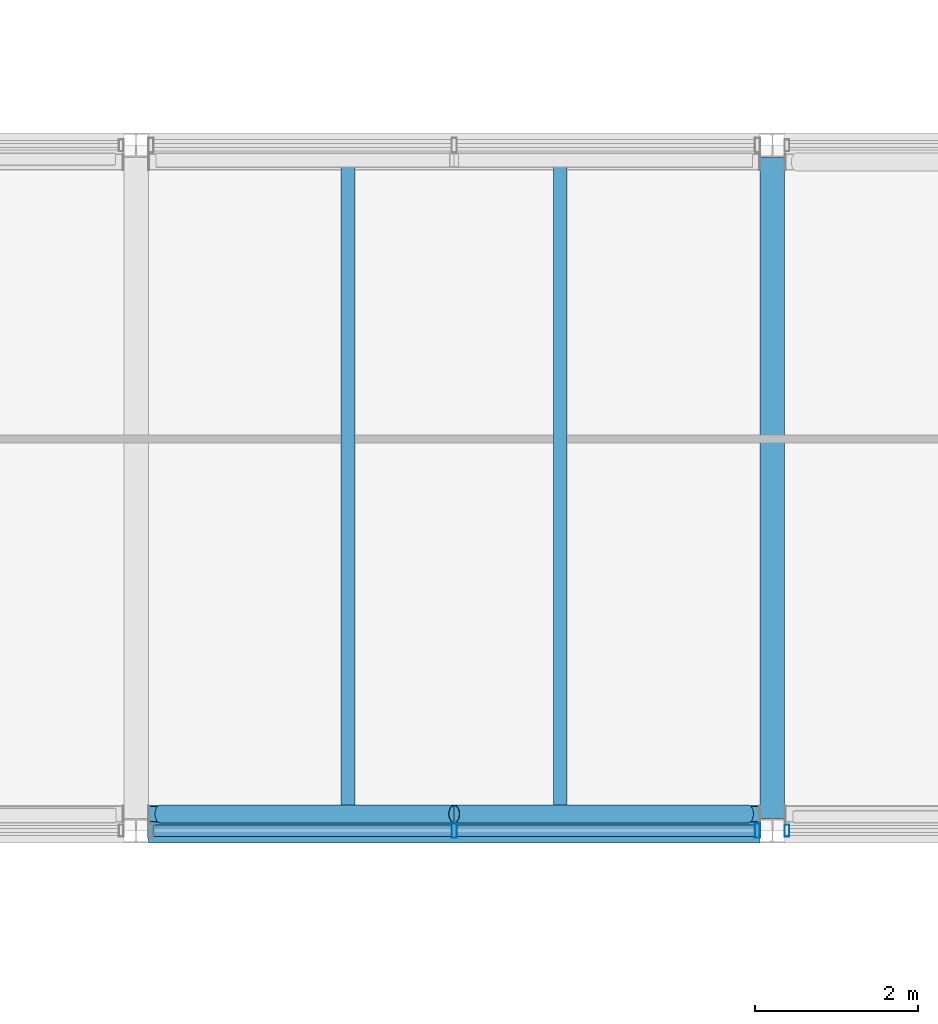
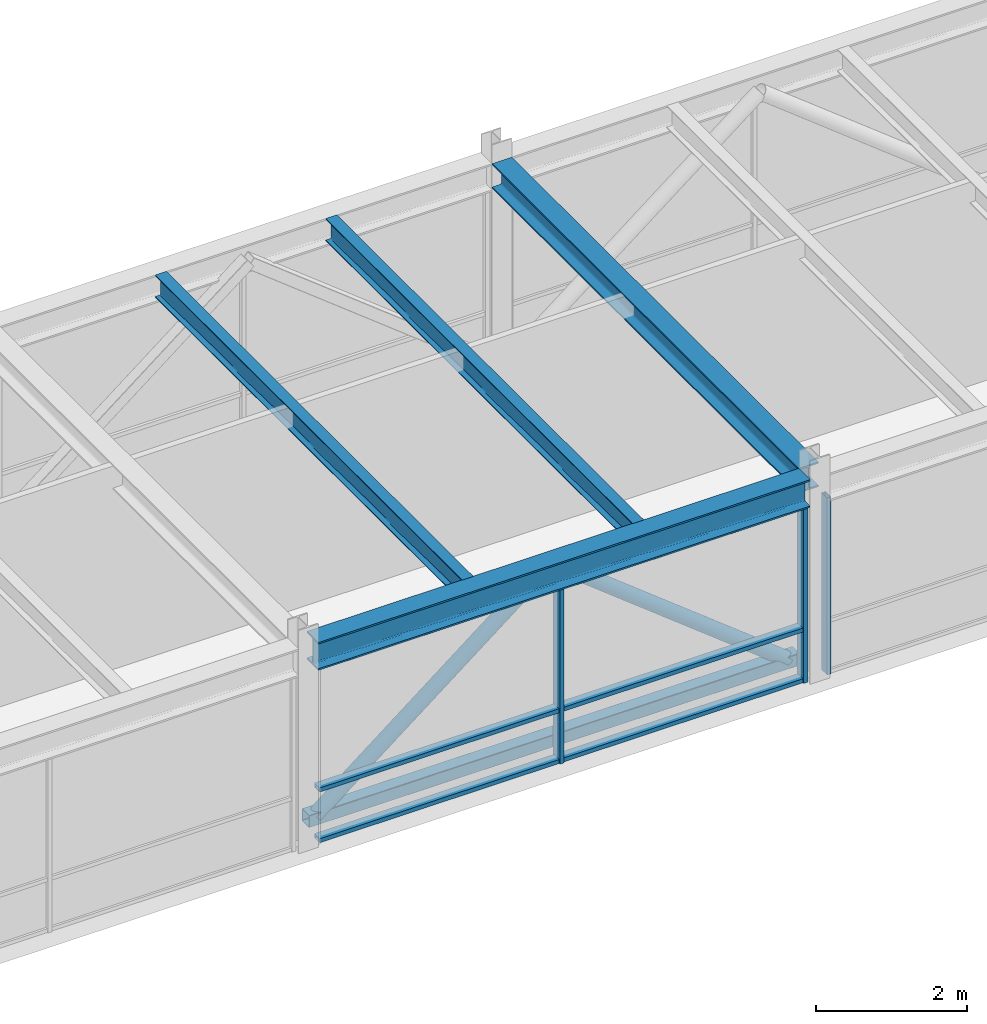
# One storey, part 17 of 49: 12 members, 4 beams, 2 elements without a shape of their own.
"""IFC4 building model written with IfcOpenShell, lengths in metres."""

import ifcopenshell
import ifcopenshell.guid

model = None  # the IFC model being written
_history = None  # IfcOwnerHistory: only IFC2X3 demands one
_inside = {}  # id of a spatial element -> (the spatial element, [elements in it])
_under = {}  # id of a project, library or spatial element -> (it, [spatial elements below it])
_declared = {}  # id of a project -> (the project, [libraries it declares])
_typed = {}  # id of a type object -> (the type object, [elements of that type])
_made_of = {}  # id of a material, layer set ... -> (it, [elements and type objects made of it])


def new_model(schema):
    """Start an empty IFC model of exactly this schema.

    Asked for "IFC4X3", IfcOpenShell would pick the latest addendum, in which some entities
    have other attributes; the version numbers below select the first issue.
    IFC2X3 requires an IfcOwnerHistory on every rooted entity: one is made here for all.
    """
    global model, _history
    if schema == "IFC4X3":
        model = ifcopenshell.file(schema_version=(4, 3, 0, 0))
    else:
        model = ifcopenshell.file(schema=schema)
    _inside.clear()
    _under.clear()
    _declared.clear()
    _typed.clear()
    _made_of.clear()
    _history = None
    if model.schema == "IFC2X3":
        org = make("IfcOrganization", Name="unknown")
        user = make(
            "IfcPersonAndOrganization",
            ThePerson=make("IfcPerson", FamilyName="unknown"),
            TheOrganization=org,
        )
        app = make(
            "IfcApplication",
            ApplicationDeveloper=org,
            Version="unknown",
            ApplicationFullName="unknown",
            ApplicationIdentifier="unknown",
        )
        _history = make(
            "IfcOwnerHistory",
            OwningUser=user,
            OwningApplication=app,
            ChangeAction="ADDED",
            CreationDate=0,
        )
    return model


def make(cls, **values):
    """One entity of the class cls with the attributes given. An attribute that is None is left unset."""
    return model.create_entity(
        cls, **{name: value for name, value in values.items() if value is not None}
    )


def rooted(cls, **values):
    """An entity with a GlobalId (a new one), such as an element, a storey or a relation."""
    return make(cls, GlobalId=ifcopenshell.guid.new(), OwnerHistory=_history, **values)


def si_unit(unit_type, name, prefix=None):
    """IfcSIUnit, for example si_unit("LENGTHUNIT", "METRE", prefix="MILLI")."""
    return make("IfcSIUnit", UnitType=unit_type, Prefix=prefix, Name=name)


def assignment(units):
    """IfcUnitAssignment: the units of a project."""
    return None if units is None else make("IfcUnitAssignment", Units=units)


def point(xyz):
    """IfcCartesianPoint."""
    return None if xyz is None else make("IfcCartesianPoint", Coordinates=xyz)


def direction(xyz):
    """IfcDirection."""
    return None if xyz is None else make("IfcDirection", DirectionRatios=xyz)


def frame(location, z_axis=None, x_axis=None):
    """IfcAxis2Placement3D, a coordinate frame: its origin and axes. An axis left out is left unset."""
    return make(
        "IfcAxis2Placement3D",
        Location=point(location),
        Axis=direction(z_axis),
        RefDirection=direction(x_axis),
    )


def frame_2d(location, x_axis=None):
    """IfcAxis2Placement2D, a coordinate frame in the plane: its origin and x axis."""
    return make(
        "IfcAxis2Placement2D", Location=point(location), RefDirection=direction(x_axis)
    )


def origin():
    """The frame at (0, 0, 0) with its axes left unset."""
    return frame((0.0, 0.0, 0.0))


def origin_2d():
    """The frame at (0, 0) in the plane with its x axis left unset."""
    return frame_2d((0.0, 0.0))


def place(relative_to, where):
    """IfcLocalPlacement: puts the frame where relative to a parent placement (None: the world)."""
    return make(
        "IfcLocalPlacement", PlacementRelTo=relative_to, RelativePlacement=where
    )


def context(
    kind, dimensions, precision=None, world=None, true_north=None, identifier=None
):
    """IfcGeometricRepresentationContext, for example the 3D "Model" context."""
    return make(
        "IfcGeometricRepresentationContext",
        ContextIdentifier=identifier,
        ContextType=kind,
        CoordinateSpaceDimension=dimensions,
        Precision=precision,
        WorldCoordinateSystem=world,
        TrueNorth=true_north,
    )


def subcontext(parent, identifier, kind, view, scale=None):
    """IfcGeometricRepresentationSubContext, for example "Body" below "Model"."""
    return make(
        "IfcGeometricRepresentationSubContext",
        ContextIdentifier=identifier,
        ContextType=kind,
        ParentContext=parent,
        TargetScale=scale,
        TargetView=view,
    )


def project(units=None, contexts=None):
    """IfcProject with its units and contexts."""
    return rooted(
        "IfcProject",
        Name="project",
        RepresentationContexts=contexts,
        UnitsInContext=assignment(units),
    )


def spatial(cls, under=None, at=None, **own):
    """A site, building, storey or space (cls), placed at a placement, below another one or the project."""
    s = rooted(cls, ObjectPlacement=at, **own)
    if under is not None:
        _under.setdefault(under.id(), (under, []))[1].append(s)
    return s


def profile(cls, at=None, kind="AREA", **sizes):
    """A parametric profile (cls). Its sizes go by their IFC names, for example OverallWidth=200.0."""
    return make(cls, ProfileType=kind, Position=at, **sizes)


def hollow_rectangle(**sizes):
    """IfcRectangleHollowProfileDef."""
    return profile("IfcRectangleHollowProfileDef", **sizes)


def hollow_circle(**sizes):
    """IfcCircleHollowProfileDef."""
    return profile("IfcCircleHollowProfileDef", **sizes)


def i_section(**sizes):
    """IfcIShapeProfileDef."""
    return profile("IfcIShapeProfileDef", **sizes)


def extrude(swept, where, along, depth):
    """IfcExtrudedAreaSolid: the profile swept, set in the frame where, extruded along a direction by depth."""
    return make(
        "IfcExtrudedAreaSolid",
        SweptArea=swept,
        Position=where,
        ExtrudedDirection=direction(along),
        Depth=depth,
    )


def shape(context_of_items, identifier, shape_type, items):
    """IfcShapeRepresentation: the items that make up one representation, for example the "Body"."""
    return make(
        "IfcShapeRepresentation",
        ContextOfItems=context_of_items,
        RepresentationIdentifier=identifier,
        RepresentationType=shape_type,
        Items=items,
    )


def material(Name=None, Category=None):
    """IfcMaterial."""
    return make("IfcMaterial", Name=Name, Category=Category)


def material_profile(
    of_material, cross_section, Name=None, Category=None, Priority=None
):
    """IfcMaterialProfile: a cross section and its material."""
    return make(
        "IfcMaterialProfile",
        Name=Name,
        Material=of_material,
        Profile=cross_section,
        Priority=Priority,
        Category=Category,
    )


def profile_set(profiles, Name=None, composite=None):
    """IfcMaterialProfileSet."""
    return make(
        "IfcMaterialProfileSet",
        Name=Name,
        MaterialProfiles=profiles,
        CompositeProfile=composite,
    )


def made_of(thing, what):
    """Note that an element or type object is made of a material, layer set ...; save() writes the relation."""
    if what is not None:
        _made_of.setdefault(what.id(), (what, []))[1].append(thing)
    return thing


def type_object(cls, material=None, **own):
    """A type object (cls), such as IfcWallType, which elements share."""
    return made_of(rooted(cls, **own), material)


def element(
    cls,
    number,
    at=None,
    inside=None,
    cuts=None,
    type_object=None,
    material=None,
    context=None,
    identifier="Body",
    shape_type=None,
    held_by="IfcProductDefinitionShape",
    body=None,
    shapes=None,
    **own,
):
    """One element of the class cls, such as IfcWall. Its Tag is "e" and its number.

    at: its placement. inside: the storey or other place that contains it. cuts: it is an
    opening in that element (IfcRelVoidsElement). A single representation is given by context,
    identifier, shape_type and body (its items); several are given by shapes. held_by: the class
    of the entity that holds the representations. save() writes the other relations.
    """
    e = rooted(cls, Tag="e%d" % number, ObjectPlacement=at, **own)
    if body is not None:
        shapes = [shape(context, identifier, shape_type, body)]
    if shapes is not None:
        e.Representation = make(held_by, Representations=shapes)
    if inside is not None:
        _inside.setdefault(inside.id(), (inside, []))[1].append(e)
    if cuts is not None:
        rooted(
            "IfcRelVoidsElement", RelatingBuildingElement=cuts, RelatedOpeningElement=e
        )
    if type_object is not None:
        _typed.setdefault(type_object.id(), (type_object, []))[1].append(e)
    return made_of(e, material)


def aggregate(whole, parts):
    """IfcRelAggregates: a whole, such as a stair, and the parts it consists of."""
    return rooted("IfcRelAggregates", RelatingObject=whole, RelatedObjects=parts)


def save(model, path):
    """Write the relations noted so far, then the file.

    IfcRelAggregates (storeys below a building ...), IfcRelContainedInSpatialStructure (elements
    in a storey), IfcRelDefinesByType, IfcRelAssociatesMaterial and IfcRelDeclares: one each for
    every whole, place, type object, material and project.
    """
    for whole, parts in _under.values():
        aggregate(whole, parts)
    for where, things in _inside.values():
        rooted(
            "IfcRelContainedInSpatialStructure",
            RelatedElements=things,
            RelatingStructure=where,
        )
    for kind, things in _typed.values():
        rooted("IfcRelDefinesByType", RelatedObjects=things, RelatingType=kind)
    for what, things in _made_of.values():
        rooted("IfcRelAssociatesMaterial", RelatedObjects=things, RelatingMaterial=what)
    for by, libraries in _declared.values():
        rooted("IfcRelDeclares", RelatingContext=by, RelatedDefinitions=libraries)
    model.write(path)


model = new_model("IFC4")

# Units and contexts
model_context = context("Model", 3, precision=1e-05, world=origin(), true_north=direction((0.0, 1.0)))
body_context = subcontext(model_context, "Body", "Model", "MODEL_VIEW")
ifc_project = project(units=[si_unit("LENGTHUNIT", "METRE"), si_unit("AREAUNIT", "SQUARE_METRE"), si_unit("VOLUMEUNIT", "CUBIC_METRE"), si_unit("PLANEANGLEUNIT", "RADIAN"), si_unit("MASSUNIT", "GRAM", prefix="KILO"), si_unit("THERMODYNAMICTEMPERATUREUNIT", "KELVIN"), si_unit("POWERUNIT", "WATT")], contexts=[model_context])

# Site, building, storey
site_placement = place(None, origin())
site = spatial("IfcSite", under=ifc_project, at=site_placement, CompositionType="ELEMENT")
building_placement = place(site_placement, origin())
building = spatial("IfcBuilding", under=site, at=building_placement, Name="Srebrne Nadtorze General Hospital", CompositionType="ELEMENT")
storey_placement = place(building_placement, frame((0.0, 0.0, 26.10009765625)))
storey = spatial("IfcBuildingStorey", under=building, at=storey_placement, Name="L06", CompositionType="ELEMENT", Elevation=26.10009765625)

# Beams
ifc_material_1 = material(Name="Steel S355J2", Category="steel")
ifc_material_profile_1 = material_profile(ifc_material_1, i_section(OverallWidth=0.300048828125, OverallDepth=0.39990234375, WebThickness=0.013427734375, FlangeThickness=0.02392578125, FilletRadius=0.027099609375, at=origin_2d()), Name="HEB-400")
ifc_profile_set_1 = profile_set([ifc_material_profile_1], Name="Steel S355J2")
beam_type_1 = type_object("IfcBeamType", Name="Courtyard bridge girder HEB 400", PredefinedType="BEAM", material=ifc_profile_set_1)
beam_1_placement = place(storey_placement, frame((85.800048828125, 50.550048828125, 3.099853515625), z_axis=(0.0, 1.0, 0.0), x_axis=(-1.0, 0.0, 0.0)))
element("IfcBeam", 1, at=beam_1_placement, inside=storey, type_object=beam_type_1, Name="Beam BM-L06-Y-1220", PredefinedType="BEAM", context=body_context, shape_type="SweptSolid", body=[
    extrude(i_section(OverallWidth=0.300048828125, OverallDepth=0.39990234375, WebThickness=0.013427734375, FlangeThickness=0.02392578125, FilletRadius=0.027099609375, at=origin_2d()), origin(), (0.0, 0.0, 1.0), 8.099853515625),
])
ifc_material_2 = material(Name="Steel S355J2", Category="steel")
ifc_material_profile_2 = material_profile(ifc_material_2, i_section(OverallWidth=0.300048828125, OverallDepth=0.449951171875, WebThickness=0.013916015625, FlangeThickness=0.02587890625, FilletRadius=0.027099609375, at=origin_2d()), Name="HEB-450")
ifc_profile_set_2 = profile_set([ifc_material_profile_2], Name="Steel S355J2")
beam_type_2 = type_object("IfcBeamType", Name="Courtyard bridge girder HEB 450", PredefinedType="BEAM", material=ifc_profile_set_2)
beam_2_placement = place(storey_placement, frame((78.14990234375, 50.39990234375, 3.074951171875), z_axis=(1.0, 0.0, 0.0), x_axis=(0.0, 1.0, 0.0)))
element("IfcBeam", 2, at=beam_2_placement, inside=storey, type_object=beam_type_2, Name="Beam BM-L06-X-1157", PredefinedType="BEAM", context=body_context, shape_type="SweptSolid", body=[
    extrude(i_section(OverallWidth=0.300048828125, OverallDepth=0.449951171875, WebThickness=0.013916015625, FlangeThickness=0.02587890625, FilletRadius=0.027099609375, at=origin_2d()), origin(), (0.0, 0.0, 1.0), 7.5),
])

# Curtain wall, member
ifc_material_3 = material(Name="Anodised Aluminium", Category="aluminium")
curtain_wall_type = type_object("IfcCurtainWallType", Name="Bridge curtain wall 7500x2850", PredefinedType="NOTDEFINED", material=ifc_material_3)
curtain_wall_1_placement = place(storey_placement, origin())
curtain_wall_1 = element("IfcCurtainWall", 3, at=curtain_wall_1_placement, inside=storey, type_object=curtain_wall_type, Name="Curtain wall CW-142", PredefinedType="NOTDEFINED")
ifc_material_4 = material(Name="Anodised Aluminium", Category="aluminium")
ifc_material_profile_3 = material_profile(ifc_material_4, hollow_rectangle(XDim=0.06005859375, YDim=0.14990234375, WallThickness=0.00390625, at=origin_2d()), Name="AL-MUL-60x150")
ifc_profile_set_3 = profile_set([ifc_material_profile_3], Name="Anodised Aluminium")
member_type_1 = type_object("IfcMemberType", Name="Curtain mullion 60x150", PredefinedType="MULLION", material=ifc_profile_set_3)
member_1_placement = place(storey_placement, frame((85.97998046875, 50.39990234375, 0.0), z_axis=(0.0, 0.0, 1.0), x_axis=(1.0, 0.0, 0.0)))
member_1 = element("IfcMember", 4, at=member_1_placement, type_object=member_type_1, Name="CW-142 mullion 1", PredefinedType="MULLION", context=body_context, shape_type="SweptSolid", body=[
    extrude(hollow_rectangle(XDim=0.06005859375, YDim=0.14990234375, WallThickness=0.00390625, at=origin_2d()), origin(), (0.0, 0.0, 1.0), 2.849853515625),
])
aggregate(curtain_wall_1, [member_1])

# Curtain wall, members
curtain_wall_2_placement = place(storey_placement, origin())
curtain_wall_2 = element("IfcCurtainWall", 5, at=curtain_wall_2_placement, inside=storey, type_object=curtain_wall_type, Name="Curtain wall CW-141", PredefinedType="NOTDEFINED")
ifc_material_5 = material(Name="Anodised Aluminium", Category="aluminium")
ifc_material_profile_4 = material_profile(ifc_material_5, hollow_rectangle(XDim=0.06494140625, YDim=0.179931640625, WallThickness=0.00390625, at=origin_2d()), Name="AL-MUL-65x180")
ifc_profile_set_4 = profile_set([ifc_material_profile_4], Name="Anodised Aluminium")
member_type_2 = type_object("IfcMemberType", Name="Curtain mullion 65x180", PredefinedType="MULLION", material=ifc_profile_set_4)
member_2_placement = place(storey_placement, frame((81.89990234375, 50.39990234375, 0.0), z_axis=(0.0, 0.0, 1.0), x_axis=(1.0, 0.0, 0.0)))
member_2 = element("IfcMember", 6, at=member_2_placement, type_object=member_type_2, Name="CW-141 mullion 2", PredefinedType="MULLION", context=body_context, shape_type="SweptSolid", body=[
    extrude(hollow_rectangle(XDim=0.06494140625, YDim=0.179931640625, WallThickness=0.00390625, at=origin_2d()), origin(), (0.0, 0.0, 1.0), 2.849853515625),
])
member_3_placement = place(storey_placement, frame((85.617431640625, 50.39990234375, 0.0), z_axis=(0.0, 0.0, 1.0), x_axis=(1.0, 0.0, 0.0)))
member_3 = element("IfcMember", 7, at=member_3_placement, type_object=member_type_2, Name="CW-141 mullion 3", PredefinedType="MULLION", context=body_context, shape_type="SweptSolid", body=[
    extrude(hollow_rectangle(XDim=0.06494140625, YDim=0.179931640625, WallThickness=0.00390625, at=origin_2d()), origin(), (0.0, 0.0, 1.0), 2.849853515625),
])
ifc_material_6 = material(Name="Anodised Aluminium", Category="aluminium")
ifc_material_profile_5 = material_profile(ifc_material_6, hollow_rectangle(XDim=0.06494140625, YDim=0.139892578125, WallThickness=0.00390625, at=origin_2d()), Name="AL-TRN-65x140")
ifc_profile_set_5 = profile_set([ifc_material_profile_5], Name="Anodised Aluminium")
member_type_3 = type_object("IfcMemberType", Name="Curtain transom 65x140", PredefinedType="USERDEFINED", material=ifc_profile_set_5)
member_4_placement = place(storey_placement, frame((78.215087890625, 50.39990234375, 0.032470703125), z_axis=(1.0, 0.0, 0.0), x_axis=(0.0, 0.0, 1.0)))
member_4 = element("IfcMember", 8, at=member_4_placement, type_object=member_type_3, Name="CW-141 transom 1.1", ObjectType="TRANSOM", PredefinedType="USERDEFINED", context=body_context, shape_type="SweptSolid", body=[
    extrude(hollow_rectangle(XDim=0.06494140625, YDim=0.139892578125, WallThickness=0.00390625, at=origin_2d()), origin(), (0.0, 0.0, 1.0), 3.65234375),
])
member_5_placement = place(storey_placement, frame((78.215087890625, 50.39990234375, 0.849853515625), z_axis=(1.0, 0.0, 0.0), x_axis=(0.0, 0.0, 1.0)))
member_5 = element("IfcMember", 9, at=member_5_placement, type_object=member_type_3, Name="CW-141 transom 1.2", ObjectType="TRANSOM", PredefinedType="USERDEFINED", context=body_context, shape_type="SweptSolid", body=[
    extrude(hollow_rectangle(XDim=0.06494140625, YDim=0.139892578125, WallThickness=0.00390625, at=origin_2d()), origin(), (0.0, 0.0, 1.0), 3.65234375),
])
member_6_placement = place(storey_placement, frame((78.215087890625, 50.39990234375, 2.8173828125), z_axis=(1.0, 0.0, 0.0), x_axis=(0.0, 0.0, 1.0)))
member_6 = element("IfcMember", 10, at=member_6_placement, type_object=member_type_3, Name="CW-141 transom 1.3", ObjectType="TRANSOM", PredefinedType="USERDEFINED", context=body_context, shape_type="SweptSolid", body=[
    extrude(hollow_rectangle(XDim=0.06494140625, YDim=0.139892578125, WallThickness=0.00390625, at=origin_2d()), origin(), (0.0, 0.0, 1.0), 3.65234375),
])
member_7_placement = place(storey_placement, frame((81.9326171875, 50.39990234375, 0.032470703125), z_axis=(1.0, 0.0, 0.0), x_axis=(0.0, 0.0, 1.0)))
member_7 = element("IfcMember", 11, at=member_7_placement, type_object=member_type_3, Name="CW-141 transom 2.1", ObjectType="TRANSOM", PredefinedType="USERDEFINED", context=body_context, shape_type="SweptSolid", body=[
    extrude(hollow_rectangle(XDim=0.06494140625, YDim=0.139892578125, WallThickness=0.00390625, at=origin_2d()), origin(), (0.0, 0.0, 1.0), 3.65234375),
])
member_8_placement = place(storey_placement, frame((81.9326171875, 50.39990234375, 0.849853515625), z_axis=(1.0, 0.0, 0.0), x_axis=(0.0, 0.0, 1.0)))
member_8 = element("IfcMember", 12, at=member_8_placement, type_object=member_type_3, Name="CW-141 transom 2.2", ObjectType="TRANSOM", PredefinedType="USERDEFINED", context=body_context, shape_type="SweptSolid", body=[
    extrude(hollow_rectangle(XDim=0.06494140625, YDim=0.139892578125, WallThickness=0.00390625, at=origin_2d()), origin(), (0.0, 0.0, 1.0), 3.65234375),
])
member_9_placement = place(storey_placement, frame((81.9326171875, 50.39990234375, 2.8173828125), z_axis=(1.0, 0.0, 0.0), x_axis=(0.0, 0.0, 1.0)))
member_9 = element("IfcMember", 13, at=member_9_placement, type_object=member_type_3, Name="CW-141 transom 2.3", ObjectType="TRANSOM", PredefinedType="USERDEFINED", context=body_context, shape_type="SweptSolid", body=[
    extrude(hollow_rectangle(XDim=0.06494140625, YDim=0.139892578125, WallThickness=0.00390625, at=origin_2d()), origin(), (0.0, 0.0, 1.0), 3.65234375),
])
aggregate(curtain_wall_2, [member_2, member_3, member_4, member_5, member_6, member_7, member_8, member_9])

# Beams
ifc_material_7 = material(Name="Steel S355J2", Category="steel")
ifc_material_profile_6 = material_profile(ifc_material_7, i_section(OverallWidth=0.169921875, OverallDepth=0.360107421875, WebThickness=0.008056640625, FlangeThickness=0.0126953125, FilletRadius=0.01806640625, at=origin_2d()), Name="IPE-360")
ifc_profile_set_6 = profile_set([ifc_material_profile_6], Name="Steel S355J2")
beam_type_3 = type_object("IfcBeamType", Name="Deck joist IPE 360", PredefinedType="JOIST", material=ifc_profile_set_6)
for number, where, z_axis, x_axis, name in (
    (14, (80.60009765625, 50.544921875, 3.119873046875), (0.0, 1.0, 0.0), (-1.0, 0.0, 0.0), "Clinical courtyard bridge deck joist 170"),
    (15, (83.199951171875, 50.544921875, 3.119873046875), (0.0, 1.0, 0.0), (-1.0, 0.0, 0.0), "Clinical courtyard bridge deck joist 171"),
):
    element("IfcBeam", number, at=place(storey_placement, frame(where, z_axis=z_axis, x_axis=x_axis)), inside=storey, type_object=beam_type_3, Name=name, PredefinedType="JOIST", context=body_context, shape_type="SweptSolid", body=[
        extrude(i_section(OverallWidth=0.169921875, OverallDepth=0.360107421875, WebThickness=0.008056640625, FlangeThickness=0.0126953125, FilletRadius=0.01806640625, at=origin_2d()), origin(), (0.0, 0.0, 1.0), 8.110107421875),
    ])

# Members
ifc_material_8 = material(Name="Steel S355J2", Category="steel")
ifc_material_profile_7 = material_profile(ifc_material_8, hollow_circle(Radius=0.109619140625, WallThickness=0.008056640625, at=origin_2d()), Name="CHS-219.1x8")
ifc_profile_set_7 = profile_set([ifc_material_profile_7], Name="Steel S355J2")
member_type_4 = type_object("IfcMemberType", Name="Diagonal brace CHS 219.1x8", PredefinedType="BRACE", material=ifc_profile_set_7)
member_10_placement = place(storey_placement, frame((78.300048828125, 50.6044921875, 0.25), z_axis=(0.786172155182, 0.0, 0.618007558543), x_axis=(0.0, 1.0, 0.0)))
element("IfcMember", 16, at=member_10_placement, inside=storey, type_object=member_type_4, Name="Clinical courtyard bridge brace 31", PredefinedType="BRACE", context=body_context, shape_type="SweptSolid", body=[
    extrude(hollow_circle(Radius=0.109619140625, WallThickness=0.008056640625, at=origin_2d()), origin(), (0.0, 0.0, 1.0), 4.578857421875),
])
member_11_placement = place(storey_placement, frame((85.5, 50.6044921875, 0.25), z_axis=(-0.786192517778, 0.0, 0.61798165425), x_axis=(0.0, -1.0, 0.0)))
element("IfcMember", 17, at=member_11_placement, inside=storey, type_object=member_type_4, Name="Clinical courtyard bridge brace 32", PredefinedType="BRACE", context=body_context, shape_type="SweptSolid", body=[
    extrude(hollow_circle(Radius=0.109619140625, WallThickness=0.008056640625, at=origin_2d()), origin(), (0.0, 0.0, 1.0), 4.5791015625),
])
ifc_material_9 = material(Name="Steel S355J2", Category="steel")
ifc_material_profile_8 = material_profile(ifc_material_9, hollow_rectangle(XDim=0.199951171875, YDim=0.199951171875, WallThickness=0.010009765625, InnerFilletRadius=0.010009765625, OuterFilletRadius=0.014892578125, at=origin_2d()), Name="SHS-200x200x10")
ifc_profile_set_8 = profile_set([ifc_material_profile_8], Name="Steel S355J2")
member_type_5 = type_object("IfcMemberType", Name="Truss chord SHS 200x200x10", PredefinedType="CHORD", material=ifc_profile_set_8)
member_12_placement = place(storey_placement, frame((78.162109375, 50.60498046875, 0.25), z_axis=(1.0, 0.0, 0.0), x_axis=(0.0, 1.0, 0.0)))
element("IfcMember", 18, at=member_12_placement, inside=storey, type_object=member_type_5, Name="Clinical courtyard bridge truss chord 16", PredefinedType="CHORD", context=body_context, shape_type="SweptSolid", body=[
    extrude(hollow_rectangle(XDim=0.199951171875, YDim=0.199951171875, WallThickness=0.010009765625, InnerFilletRadius=0.010009765625, OuterFilletRadius=0.014892578125, at=origin_2d()), origin(), (0.0, 0.0, 1.0), 7.475830078125),
])

save(model, "model.ifc")
